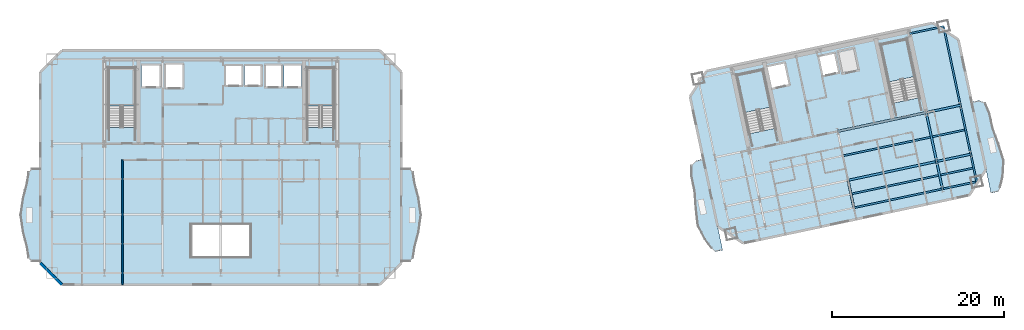
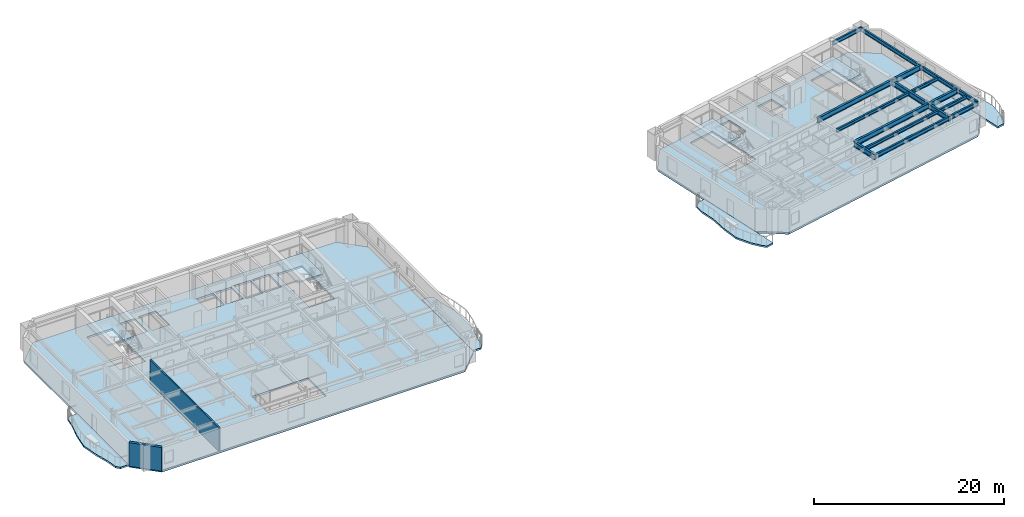
# One storey, part 4 of 14: 17 beams, 10 slabs, 2 walls, 4 elements without a shape of their own.
"""IFC4 building model written with IfcOpenShell, lengths in metres."""

import ifcopenshell
import ifcopenshell.guid

model = None  # the IFC model being written
_history = None  # IfcOwnerHistory: only IFC2X3 demands one
_inside = {}  # id of a spatial element -> (the spatial element, [elements in it])
_under = {}  # id of a project, library or spatial element -> (it, [spatial elements below it])
_declared = {}  # id of a project -> (the project, [libraries it declares])
_typed = {}  # id of a type object -> (the type object, [elements of that type])
_made_of = {}  # id of a material, layer set ... -> (it, [elements and type objects made of it])


def new_model(schema):
    """Start an empty IFC model of exactly this schema.

    Asked for "IFC4X3", IfcOpenShell would pick the latest addendum, in which some entities
    have other attributes; the version numbers below select the first issue.
    IFC2X3 requires an IfcOwnerHistory on every rooted entity: one is made here for all.
    """
    global model, _history
    if schema == "IFC4X3":
        model = ifcopenshell.file(schema_version=(4, 3, 0, 0))
    else:
        model = ifcopenshell.file(schema=schema)
    _inside.clear()
    _under.clear()
    _declared.clear()
    _typed.clear()
    _made_of.clear()
    _history = None
    if model.schema == "IFC2X3":
        org = make("IfcOrganization", Name="unknown")
        user = make(
            "IfcPersonAndOrganization",
            ThePerson=make("IfcPerson", FamilyName="unknown"),
            TheOrganization=org,
        )
        app = make(
            "IfcApplication",
            ApplicationDeveloper=org,
            Version="unknown",
            ApplicationFullName="unknown",
            ApplicationIdentifier="unknown",
        )
        _history = make(
            "IfcOwnerHistory",
            OwningUser=user,
            OwningApplication=app,
            ChangeAction="ADDED",
            CreationDate=0,
        )
    return model


def make(cls, **values):
    """One entity of the class cls with the attributes given. An attribute that is None is left unset."""
    return model.create_entity(
        cls, **{name: value for name, value in values.items() if value is not None}
    )


def rooted(cls, **values):
    """An entity with a GlobalId (a new one), such as an element, a storey or a relation."""
    return make(cls, GlobalId=ifcopenshell.guid.new(), OwnerHistory=_history, **values)


def si_unit(unit_type, name, prefix=None):
    """IfcSIUnit, for example si_unit("LENGTHUNIT", "METRE", prefix="MILLI")."""
    return make("IfcSIUnit", UnitType=unit_type, Prefix=prefix, Name=name)


def assignment(units):
    """IfcUnitAssignment: the units of a project."""
    return None if units is None else make("IfcUnitAssignment", Units=units)


def point(xyz):
    """IfcCartesianPoint."""
    return None if xyz is None else make("IfcCartesianPoint", Coordinates=xyz)


def direction(xyz):
    """IfcDirection."""
    return None if xyz is None else make("IfcDirection", DirectionRatios=xyz)


def frame(location, z_axis=None, x_axis=None):
    """IfcAxis2Placement3D, a coordinate frame: its origin and axes. An axis left out is left unset."""
    return make(
        "IfcAxis2Placement3D",
        Location=point(location),
        Axis=direction(z_axis),
        RefDirection=direction(x_axis),
    )


def frame_2d(location, x_axis=None):
    """IfcAxis2Placement2D, a coordinate frame in the plane: its origin and x axis."""
    return make(
        "IfcAxis2Placement2D", Location=point(location), RefDirection=direction(x_axis)
    )


def origin():
    """The frame at (0, 0, 0) with its axes left unset."""
    return frame((0.0, 0.0, 0.0))


def origin_2d():
    """The frame at (0, 0) in the plane with its x axis left unset."""
    return frame_2d((0.0, 0.0))


def place(relative_to, where):
    """IfcLocalPlacement: puts the frame where relative to a parent placement (None: the world)."""
    return make(
        "IfcLocalPlacement", PlacementRelTo=relative_to, RelativePlacement=where
    )


def context(
    kind, dimensions, precision=None, world=None, true_north=None, identifier=None
):
    """IfcGeometricRepresentationContext, for example the 3D "Model" context."""
    return make(
        "IfcGeometricRepresentationContext",
        ContextIdentifier=identifier,
        ContextType=kind,
        CoordinateSpaceDimension=dimensions,
        Precision=precision,
        WorldCoordinateSystem=world,
        TrueNorth=true_north,
    )


def subcontext(parent, identifier, kind, view, scale=None):
    """IfcGeometricRepresentationSubContext, for example "Body" below "Model"."""
    return make(
        "IfcGeometricRepresentationSubContext",
        ContextIdentifier=identifier,
        ContextType=kind,
        ParentContext=parent,
        TargetScale=scale,
        TargetView=view,
    )


def project(units=None, contexts=None):
    """IfcProject with its units and contexts."""
    return rooted(
        "IfcProject",
        Name="project",
        RepresentationContexts=contexts,
        UnitsInContext=assignment(units),
    )


def spatial(cls, under=None, at=None, **own):
    """A site, building, storey or space (cls), placed at a placement, below another one or the project."""
    s = rooted(cls, ObjectPlacement=at, **own)
    if under is not None:
        _under.setdefault(under.id(), (under, []))[1].append(s)
    return s


def polyline(points):
    """IfcPolyline through the points."""
    return make("IfcPolyline", Points=[point(p) for p in points])


def profile(cls, at=None, kind="AREA", **sizes):
    """A parametric profile (cls). Its sizes go by their IFC names, for example OverallWidth=200.0."""
    return make(cls, ProfileType=kind, Position=at, **sizes)


def rectangle(**sizes):
    """IfcRectangleProfileDef."""
    return profile("IfcRectangleProfileDef", **sizes)


def i_section(**sizes):
    """IfcIShapeProfileDef."""
    return profile("IfcIShapeProfileDef", **sizes)


def outline(outer, holes=None, kind="AREA"):
    """IfcArbitraryClosedProfileDef: a profile drawn as a closed curve; with holes, ...WithVoids."""
    if holes is None:
        return make("IfcArbitraryClosedProfileDef", ProfileType=kind, OuterCurve=outer)
    return make(
        "IfcArbitraryProfileDefWithVoids",
        ProfileType=kind,
        OuterCurve=outer,
        InnerCurves=holes,
    )


def extrude(swept, where, along, depth):
    """IfcExtrudedAreaSolid: the profile swept, set in the frame where, extruded along a direction by depth."""
    return make(
        "IfcExtrudedAreaSolid",
        SweptArea=swept,
        Position=where,
        ExtrudedDirection=direction(along),
        Depth=depth,
    )


def shape(context_of_items, identifier, shape_type, items):
    """IfcShapeRepresentation: the items that make up one representation, for example the "Body"."""
    return make(
        "IfcShapeRepresentation",
        ContextOfItems=context_of_items,
        RepresentationIdentifier=identifier,
        RepresentationType=shape_type,
        Items=items,
    )


def material(Name=None, Category=None):
    """IfcMaterial."""
    return make("IfcMaterial", Name=Name, Category=Category)


def layer(
    of_material, thickness, ventilated=None, Name=None, Category=None, Priority=None
):
    """IfcMaterialLayer: one layer of a wall or slab, of a material (None: an air gap)."""
    return make(
        "IfcMaterialLayer",
        Material=of_material,
        LayerThickness=thickness,
        IsVentilated=ventilated,
        Name=Name,
        Category=Category,
        Priority=Priority,
    )


def layer_set(layers, Name=None):
    """IfcMaterialLayerSet."""
    return make("IfcMaterialLayerSet", MaterialLayers=layers, LayerSetName=Name)


def material_profile(
    of_material, cross_section, Name=None, Category=None, Priority=None
):
    """IfcMaterialProfile: a cross section and its material."""
    return make(
        "IfcMaterialProfile",
        Name=Name,
        Material=of_material,
        Profile=cross_section,
        Priority=Priority,
        Category=Category,
    )


def profile_set(profiles, Name=None, composite=None):
    """IfcMaterialProfileSet."""
    return make(
        "IfcMaterialProfileSet",
        Name=Name,
        MaterialProfiles=profiles,
        CompositeProfile=composite,
    )


def made_of(thing, what):
    """Note that an element or type object is made of a material, layer set ...; save() writes the relation."""
    if what is not None:
        _made_of.setdefault(what.id(), (what, []))[1].append(thing)
    return thing


def type_object(cls, material=None, **own):
    """A type object (cls), such as IfcWallType, which elements share."""
    return made_of(rooted(cls, **own), material)


def element(
    cls,
    number,
    at=None,
    inside=None,
    cuts=None,
    type_object=None,
    material=None,
    context=None,
    identifier="Body",
    shape_type=None,
    held_by="IfcProductDefinitionShape",
    body=None,
    shapes=None,
    **own,
):
    """One element of the class cls, such as IfcWall. Its Tag is "e" and its number.

    at: its placement. inside: the storey or other place that contains it. cuts: it is an
    opening in that element (IfcRelVoidsElement). A single representation is given by context,
    identifier, shape_type and body (its items); several are given by shapes. held_by: the class
    of the entity that holds the representations. save() writes the other relations.
    """
    e = rooted(cls, Tag="e%d" % number, ObjectPlacement=at, **own)
    if body is not None:
        shapes = [shape(context, identifier, shape_type, body)]
    if shapes is not None:
        e.Representation = make(held_by, Representations=shapes)
    if inside is not None:
        _inside.setdefault(inside.id(), (inside, []))[1].append(e)
    if cuts is not None:
        rooted(
            "IfcRelVoidsElement", RelatingBuildingElement=cuts, RelatedOpeningElement=e
        )
    if type_object is not None:
        _typed.setdefault(type_object.id(), (type_object, []))[1].append(e)
    return made_of(e, material)


def aggregate(whole, parts):
    """IfcRelAggregates: a whole, such as a stair, and the parts it consists of."""
    return rooted("IfcRelAggregates", RelatingObject=whole, RelatedObjects=parts)


def save(model, path):
    """Write the relations noted so far, then the file.

    IfcRelAggregates (storeys below a building ...), IfcRelContainedInSpatialStructure (elements
    in a storey), IfcRelDefinesByType, IfcRelAssociatesMaterial and IfcRelDeclares: one each for
    every whole, place, type object, material and project.
    """
    for whole, parts in _under.values():
        aggregate(whole, parts)
    for where, things in _inside.values():
        rooted(
            "IfcRelContainedInSpatialStructure",
            RelatedElements=things,
            RelatingStructure=where,
        )
    for kind, things in _typed.values():
        rooted("IfcRelDefinesByType", RelatedObjects=things, RelatingType=kind)
    for what, things in _made_of.values():
        rooted("IfcRelAssociatesMaterial", RelatedObjects=things, RelatingMaterial=what)
    for by, libraries in _declared.values():
        rooted("IfcRelDeclares", RelatingContext=by, RelatedDefinitions=libraries)
    model.write(path)


model = new_model("IFC4")

# Units and contexts
model_context = context("Model", 3, precision=1e-05, world=origin(), true_north=direction((0.0, 1.0)))
body_context = subcontext(model_context, "Body", "Model", "MODEL_VIEW")
ifc_project = project(units=[si_unit("LENGTHUNIT", "METRE"), si_unit("AREAUNIT", "SQUARE_METRE"), si_unit("VOLUMEUNIT", "CUBIC_METRE"), si_unit("PLANEANGLEUNIT", "RADIAN"), si_unit("MASSUNIT", "GRAM", prefix="KILO")], contexts=[model_context])

# Site, building, storey
site_placement = place(None, origin())
site = spatial("IfcSite", under=ifc_project, at=site_placement, CompositionType="ELEMENT")
building_placement = place(site_placement, origin())
building = spatial("IfcBuilding", under=site, at=building_placement, Name="Haevon Station Towers", CompositionType="ELEMENT")
storey_placement = place(building_placement, frame((0.0, 0.0, 169.199951171875)))
storey = spatial("IfcBuildingStorey", under=building, at=storey_placement, Name="L46", CompositionType="ELEMENT", Elevation=169.199951171875)

# Beams
ifc_material_1 = material(Name="Steel S355", Category="steel")
ifc_material_profile_1 = material_profile(ifc_material_1, i_section(OverallWidth=0.25, OverallDepth=0.64990234375, WebThickness=0.012939453125, FlangeThickness=0.02197265625, at=origin_2d()), Name="H-650x250x13x22")
ifc_profile_set_1 = profile_set([ifc_material_profile_1], Name="Steel S355")
beam_type_1 = type_object("IfcBeamType", Name="BM-G650", PredefinedType="BEAM", material=ifc_profile_set_1)
beam_1_placement = place(storey_placement, frame((110.228759765625, 33.9521484375, 2.72509765625), z_axis=(0.978146794194, 0.207915485254, 0.0), x_axis=(-0.207915485254, 0.978146794194, 0.0)))
element("IfcBeam", 1, at=beam_1_placement, inside=storey, type_object=beam_type_1, Name="BM-T2U-L46-02-03", PredefinedType="BEAM", context=body_context, shape_type="SweptSolid", body=[
    extrude(i_section(OverallWidth=0.25, OverallDepth=0.64990234375, WebThickness=0.012939453125, FlangeThickness=0.02197265625, at=origin_2d()), origin(), (0.0, 0.0, 1.0), 10.5),
])
beam_2_placement = place(storey_placement, frame((120.499267578125, 36.13525390625, 2.72509765625), z_axis=(0.978149504816, 0.207902732613, 0.0), x_axis=(-0.207902732613, 0.978149504816, 0.0)))
element("IfcBeam", 2, at=beam_2_placement, inside=storey, type_object=beam_type_1, Name="BM-T2U-L46-02-04", PredefinedType="BEAM", context=body_context, shape_type="SweptSolid", body=[
    extrude(i_section(OverallWidth=0.25, OverallDepth=0.64990234375, WebThickness=0.012939453125, FlangeThickness=0.02197265625, at=origin_2d()), origin(), (0.0, 0.0, 1.0), 4.050048828125),
])
beam_3_placement = place(storey_placement, frame((109.02294921875, 39.62548828125, 2.72509765625), z_axis=(0.978146794194, 0.207915485254, 0.0), x_axis=(-0.207915485254, 0.978146794194, 0.0)))
element("IfcBeam", 3, at=beam_3_placement, inside=storey, type_object=beam_type_1, Name="BM-T2U-L46-03-03", PredefinedType="BEAM", context=body_context, shape_type="SweptSolid", body=[
    extrude(i_section(OverallWidth=0.25, OverallDepth=0.64990234375, WebThickness=0.012939453125, FlangeThickness=0.02197265625, at=origin_2d()), origin(), (0.0, 0.0, 1.0), 10.5),
])
beam_4_placement = place(storey_placement, frame((119.29345703125, 41.80859375, 2.72509765625), z_axis=(0.978146899108, 0.207914991681, 0.0), x_axis=(-0.207914991681, 0.978146899108, 0.0)))
element("IfcBeam", 4, at=beam_4_placement, inside=storey, type_object=beam_type_1, Name="BM-T2U-L46-03-04", PredefinedType="BEAM", context=body_context, shape_type="SweptSolid", body=[
    extrude(i_section(OverallWidth=0.25, OverallDepth=0.64990234375, WebThickness=0.012939453125, FlangeThickness=0.02197265625, at=origin_2d()), origin(), (0.0, 0.0, 1.0), 4.050048828125),
])
for number, where, z_axis, x_axis, name in (
    (5, (110.906494140625, 30.763427734375, 2.72509765625), (-0.207897270364, 0.978150665785, 0.0), (-0.978150665785, -0.207897270364, 0.0), "BM-T2V-L46-03-01"),
    (6, (121.17724609375, 32.946533203125, 2.72509765625), (-0.207968922755, 0.97813543396, 0.0), (-0.97813543396, -0.207968922755, 0.0), "BM-T2V-L46-04-01"),
):
    element("IfcBeam", number, at=place(storey_placement, frame(where, z_axis=z_axis, x_axis=x_axis)), inside=storey, type_object=beam_type_1, Name=name, PredefinedType="BEAM", context=body_context, shape_type="SweptSolid", body=[
        extrude(i_section(OverallWidth=0.25, OverallDepth=0.64990234375, WebThickness=0.012939453125, FlangeThickness=0.02197265625, at=origin_2d()), origin(), (0.0, 0.0, 1.0), 3.260009765625),
    ])
beam_5_placement = place(storey_placement, frame((120.499267578125, 36.13525390625, 2.72509765625), z_axis=(-0.207896009217, 0.97815093383, 0.0), x_axis=(-0.97815093383, -0.207896009217, 0.0)))
element("IfcBeam", 7, at=beam_5_placement, inside=storey, type_object=beam_type_1, Name="BM-T2V-L46-04-02", PredefinedType="BEAM", context=body_context, shape_type="SweptSolid", body=[
    extrude(i_section(OverallWidth=0.25, OverallDepth=0.64990234375, WebThickness=0.012939453125, FlangeThickness=0.02197265625, at=origin_2d()), origin(), (0.0, 0.0, 1.0), 5.800048828125),
])
ifc_material_profile_2 = material_profile(ifc_material_1, i_section(OverallWidth=0.199951171875, OverallDepth=0.39990234375, WebThickness=0.008056640625, FlangeThickness=0.012939453125, at=origin_2d()), Name="H-400x200x8x13")
ifc_profile_set_2 = profile_set([ifc_material_profile_2], Name="Steel S355")
beam_type_2 = type_object("IfcBeamType", Name="BM-J400", PredefinedType="JOIST", material=ifc_profile_set_2)
beam_6_placement = place(storey_placement, frame((110.67529296875, 32.380615234375, 2.85009765625), z_axis=(0.978145509903, 0.207921527161, 0.0), x_axis=(-0.207921527161, 0.978145509903, 0.0)))
element("IfcBeam", 8, at=beam_6_placement, inside=storey, type_object=beam_type_2, Name="BM-T2J-L46-01-03", PredefinedType="JOIST", context=body_context, shape_type="SweptSolid", body=[
    extrude(i_section(OverallWidth=0.199951171875, OverallDepth=0.39990234375, WebThickness=0.008056640625, FlangeThickness=0.012939453125, at=origin_2d()), origin(), (0.0, 0.0, 1.0), 10.280029296875),
])
beam_7_placement = place(storey_placement, frame((120.94580078125, 34.563720703125, 2.85009765625), z_axis=(0.97814345794, 0.207931180176, 0.0), x_axis=(-0.207931180176, 0.97814345794, 0.0)))
element("IfcBeam", 9, at=beam_7_placement, inside=storey, type_object=beam_type_2, Name="BM-T2J-L46-01-04", PredefinedType="JOIST", context=body_context, shape_type="SweptSolid", body=[
    extrude(i_section(OverallWidth=0.199951171875, OverallDepth=0.39990234375, WebThickness=0.008056640625, FlangeThickness=0.012939453125, at=origin_2d()), origin(), (0.0, 0.0, 1.0), 3.830078125),
])
beam_8_placement = place(storey_placement, frame((109.7333984375, 36.811767578125, 2.85009765625), z_axis=(0.978150339653, 0.207898804801, 0.0), x_axis=(-0.207898804801, 0.978150339653, 0.0)))
element("IfcBeam", 10, at=beam_8_placement, inside=storey, type_object=beam_type_2, Name="BM-T2J-L46-02-03", PredefinedType="JOIST", context=body_context, shape_type="SweptSolid", body=[
    extrude(i_section(OverallWidth=0.199951171875, OverallDepth=0.39990234375, WebThickness=0.008056640625, FlangeThickness=0.012939453125, at=origin_2d()), origin(), (0.0, 0.0, 1.0), 10.280029296875),
])
beam_9_placement = place(storey_placement, frame((120.00390625, 38.994873046875, 2.85009765625), z_axis=(0.978156420772, 0.207870191472, 0.0), x_axis=(-0.207870191472, 0.978156420772, 0.0)))
element("IfcBeam", 11, at=beam_9_placement, inside=storey, type_object=beam_type_2, Name="BM-T2J-L46-02-04", PredefinedType="JOIST", context=body_context, shape_type="SweptSolid", body=[
    extrude(i_section(OverallWidth=0.199951171875, OverallDepth=0.39990234375, WebThickness=0.008056640625, FlangeThickness=0.012939453125, at=origin_2d()), origin(), (0.0, 0.0, 1.0), 3.830078125),
])
ifc_material_profile_3 = material_profile(ifc_material_1, i_section(OverallWidth=0.199951171875, OverallDepth=0.5, WebThickness=0.010009765625, FlangeThickness=0.01611328125, at=origin_2d()), Name="H-500x200x10x16")
ifc_profile_set_3 = profile_set([ifc_material_profile_3], Name="Steel S355")
beam_type_3 = type_object("IfcBeamType", Name="BM-SP500", PredefinedType="SPANDREL", material=ifc_profile_set_3)
beam_10_placement = place(storey_placement, frame((110.906494140625, 30.763427734375, 2.800048828125), z_axis=(0.978147799298, 0.207910756646, 0.0), x_axis=(-0.207910756646, 0.978147799298, 0.0)))
element("IfcBeam", 12, at=beam_10_placement, inside=storey, type_object=beam_type_3, Name="BM-T2U-L46-01-03", PredefinedType="SPANDREL", context=body_context, shape_type="SweptSolid", body=[
    extrude(i_section(OverallWidth=0.199951171875, OverallDepth=0.5, WebThickness=0.010009765625, FlangeThickness=0.01611328125, at=origin_2d()), origin(), (0.0, 0.0, 1.0), 10.500244140625),
])
for number, where, z_axis, x_axis, name in (
    (13, (121.17724609375, 32.946533203125, 2.800048828125), (0.978146899108, 0.207914991681, 0.0), (-0.207914991681, 0.978146899108, 0.0), "BM-T2U-L46-01-04"),
    (14, (117.349365234375, 50.954345703125, 2.800048828125), (0.978149504816, 0.207902732613, 0.0), (-0.207902732613, 0.978149504816, 0.0), "BM-T2U-L46-04-04"),
):
    element("IfcBeam", number, at=place(storey_placement, frame(where, z_axis=z_axis, x_axis=x_axis)), inside=storey, type_object=beam_type_3, Name=name, PredefinedType="SPANDREL", context=body_context, shape_type="SweptSolid", body=[
        extrude(i_section(OverallWidth=0.199951171875, OverallDepth=0.5, WebThickness=0.010009765625, FlangeThickness=0.01611328125, at=origin_2d()), origin(), (0.0, 0.0, 1.0), 4.050048828125),
    ])
beam_11_placement = place(storey_placement, frame((125.138671875, 33.78857421875, 2.800048828125), z_axis=(-0.207897270364, 0.978150665785, 0.0), x_axis=(-0.978150665785, -0.207897270364, 0.0)))
element("IfcBeam", 15, at=beam_11_placement, inside=storey, type_object=beam_type_3, Name="BM-T2V-L46-05-01", PredefinedType="SPANDREL", context=body_context, shape_type="SweptSolid", body=[
    extrude(i_section(OverallWidth=0.199951171875, OverallDepth=0.5, WebThickness=0.010009765625, FlangeThickness=0.01611328125, at=origin_2d()), origin(), (0.0, 0.0, 1.0), 3.260009765625),
])
beam_12_placement = place(storey_placement, frame((124.4609375, 36.977294921875, 2.800048828125), z_axis=(-0.207936282142, 0.978142373363, 0.0), x_axis=(-0.978142373363, -0.207936282142, 0.0)))
element("IfcBeam", 16, at=beam_12_placement, inside=storey, type_object=beam_type_3, Name="BM-T2V-L46-05-02", PredefinedType="SPANDREL", context=body_context, shape_type="SweptSolid", body=[
    extrude(i_section(OverallWidth=0.199951171875, OverallDepth=0.5, WebThickness=0.010009765625, FlangeThickness=0.01611328125, at=origin_2d()), origin(), (0.0, 0.0, 1.0), 5.800048828125),
])
beam_13_placement = place(storey_placement, frame((123.2548828125, 42.650634765625, 2.800048828125), z_axis=(-0.207897167074, 0.978150687738, 0.0), x_axis=(-0.978150687738, -0.207897167074, 0.0)))
element("IfcBeam", 17, at=beam_13_placement, inside=storey, type_object=beam_type_3, Name="BM-T2V-L46-05-03", PredefinedType="SPANDREL", context=body_context, shape_type="SweptSolid", body=[
    extrude(i_section(OverallWidth=0.199951171875, OverallDepth=0.5, WebThickness=0.010009765625, FlangeThickness=0.01611328125, at=origin_2d()), origin(), (0.0, 0.0, 1.0), 9.35009765625),
])

# Slabs
ifc_material_2 = material(Name="Concrete C40/50", Category="concrete")
ifc_layer_1 = layer(ifc_material_2, 0.219970703125)
ifc_layer_set_1 = layer_set([ifc_layer_1], Name="Concrete C40/50")
slab_type_1 = type_object("IfcSlabType", Name="SL-BALC220", PredefinedType="FLOOR", material=ifc_layer_set_1)
slab_1_placement = place(storey_placement, frame((0.0, 0.0, -0.219970703125)))
element("IfcSlab", 18, at=slab_1_placement, inside=storey, type_object=slab_type_1, Name="Tower 1 L46 West SCALLOPED BALCONY", PredefinedType="FLOOR", context=body_context, shape_type="SweptSolid", body=[
    extrude(outline(polyline([(16.570068359375, 35.324951171875), (15.58154296875, 35.324951171875), (15.221923828125, 34.9140625), (15.037353515625, 33.743408203125), (14.562744140625, 31.991455078125), (14.21630859375, 29.925048828125), (14.562744140625, 27.8583984375), (15.037353515625, 26.106689453125), (15.221923828125, 24.93603515625), (15.58154296875, 24.52490234375), (16.570068359375, 24.52490234375), (16.570068359375, 35.324951171875)])), origin(), (0.0, 0.0, 1.0), 0.219970703125),
])
slab_2_placement = place(storey_placement, frame((0.0, 0.0, -0.219970703125)))
element("IfcSlab", 19, at=slab_2_placement, inside=storey, type_object=slab_type_1, Name="Tower 1 L46 East SCALLOPED BALCONY", PredefinedType="FLOOR", context=body_context, shape_type="SweptSolid", body=[
    extrude(outline(polyline([(58.429931640625, 24.52490234375), (59.41845703125, 24.52490234375), (59.778076171875, 24.93603515625), (59.962646484375, 26.106689453125), (60.437255859375, 27.8583984375), (60.78369140625, 29.925048828125), (60.437255859375, 31.991455078125), (59.962646484375, 33.743408203125), (59.778076171875, 34.9140625), (59.41845703125, 35.324951171875), (58.429931640625, 35.324951171875), (58.429931640625, 24.52490234375)])), origin(), (0.0, 0.0, 1.0), 0.219970703125),
])
slab_3_placement = place(storey_placement, frame((0.0, 0.0, -0.219970703125)))
element("IfcSlab", 20, at=slab_3_placement, inside=storey, type_object=slab_type_1, Name="Tower 2 L46 West SCALLOPED BALCONY", PredefinedType="FLOOR", context=body_context, shape_type="SweptSolid", body=[
    extrude(outline(polyline([(93.44580078125, 36.41162109375), (92.5830078125, 36.228271484375), (92.05322265625, 35.6953125), (92.0693359375, 34.501953125), (92.41259765625, 32.783935546875), (92.514404296875, 30.69287109375), (92.79736328125, 28.640380859375), (93.6572265625, 27.0322265625), (94.4462890625, 26.003173828125), (94.828369140625, 25.664306640625), (95.691162109375, 25.84765625), (93.44580078125, 36.41162109375)])), origin(), (0.0, 0.0, 1.0), 0.219970703125),
])
slab_4_placement = place(storey_placement, frame((0.0, 0.0, -0.219970703125)))
element("IfcSlab", 21, at=slab_4_placement, inside=storey, type_object=slab_type_1, Name="Tower 2 L46 East SCALLOPED BALCONY", PredefinedType="FLOOR", context=body_context, shape_type="SweptSolid", body=[
    extrude(outline(polyline([(126.80615234375, 32.461181640625), (127.668701171875, 32.64453125), (127.8798828125, 33.109619140625), (128.182373046875, 34.370849609375), (128.313720703125, 36.189697265625), (127.7373046875, 38.179931640625), (126.979736328125, 40.131591796875), (126.594482421875, 41.840576171875), (126.1240234375, 42.937255859375), (125.42333984375, 43.208740234375), (124.560546875, 43.025146484375), (126.80615234375, 32.461181640625)])), origin(), (0.0, 0.0, 1.0), 0.219970703125),
])

# Stair, slab
stair_type = type_object("IfcStairType", Name="STR-DL1450", PredefinedType="USERDEFINED", material=ifc_material_2)
stair_1_placement = place(storey_placement, origin())
stair_1 = element("IfcStair", 22, at=stair_1_placement, inside=storey, type_object=stair_type, Name="L46 Escape Stair ST1", ObjectType="TWO_RETURN_STAIR", PredefinedType="USERDEFINED")
ifc_layer_2 = layer(ifc_material_2, 0.199951171875)
ifc_layer_set_2 = layer_set([ifc_layer_2], Name="Concrete C40/50")
slab_type_2 = type_object("IfcSlabType", Name="SL-LND200", PredefinedType="LANDING", material=ifc_layer_set_2)
slab_5_placement = place(storey_placement, frame((0.0, 0.0, 1.449951171875)))
slab_5 = element("IfcSlab", 23, at=slab_5_placement, type_object=slab_type_2, Name="L46 ST1 Half Landing 1", PredefinedType="LANDING", context=body_context, shape_type="SweptSolid", body=[
    extrude(outline(polyline([(27.580078125, 42.56396484375), (27.580078125, 47.0), (24.47998046875, 47.0), (24.47998046875, 42.56396484375), (27.580078125, 42.56396484375)])), origin(), (0.0, 0.0, 1.0), 0.2001953125),
])
aggregate(stair_1, [slab_5])

stair_2_placement = place(storey_placement, origin())
stair_2 = element("IfcStair", 24, at=stair_2_placement, inside=storey, type_object=stair_type, Name="L46 Escape Stair ST2", ObjectType="TWO_RETURN_STAIR", PredefinedType="USERDEFINED")
slab_6_placement = place(storey_placement, frame((0.0, 0.0, 1.449951171875)))
slab_6 = element("IfcSlab", 25, at=slab_6_placement, type_object=slab_type_2, Name="L46 ST2 Half Landing 1", PredefinedType="LANDING", context=body_context, shape_type="SweptSolid", body=[
    extrude(outline(polyline([(50.6201171875, 42.56396484375), (50.6201171875, 47.0), (47.52001953125, 47.0), (47.52001953125, 42.56396484375), (50.6201171875, 42.56396484375)])), origin(), (0.0, 0.0, 1.0), 0.2001953125),
])
aggregate(stair_2, [slab_6])

stair_3_placement = place(storey_placement, origin())
stair_3 = element("IfcStair", 26, at=stair_3_placement, inside=storey, type_object=stair_type, Name="L46 Escape Stair ST3", ObjectType="TWO_RETURN_STAIR", PredefinedType="USERDEFINED")
slab_7_placement = place(storey_placement, frame((0.0, 0.0, 1.449951171875)))
slab_7 = element("IfcSlab", 27, at=slab_7_placement, type_object=slab_type_2, Name="L46 ST3 Half Landing 1", PredefinedType="LANDING", context=body_context, shape_type="SweptSolid", body=[
    extrude(outline(polyline([(101.2880859375, 42.44287109375), (100.36572265625, 46.781982421875), (97.33349609375, 46.137451171875), (98.255859375, 41.79833984375), (101.2880859375, 42.44287109375)])), origin(), (0.0, 0.0, 1.0), 0.2001953125),
])
aggregate(stair_3, [slab_7])

stair_4_placement = place(storey_placement, origin())
stair_4 = element("IfcStair", 28, at=stair_4_placement, inside=storey, type_object=stair_type, Name="L46 Escape Stair ST4", ObjectType="TWO_RETURN_STAIR", PredefinedType="USERDEFINED")
slab_8_placement = place(storey_placement, frame((0.0, 0.0, 1.449951171875)))
slab_8 = element("IfcSlab", 29, at=slab_8_placement, type_object=slab_type_2, Name="L46 ST4 Half Landing 1", PredefinedType="LANDING", context=body_context, shape_type="SweptSolid", body=[
    extrude(outline(polyline([(117.975341796875, 45.989990234375), (117.052978515625, 50.328857421875), (114.020751953125, 49.684326171875), (114.943115234375, 45.345458984375), (117.975341796875, 45.989990234375)])), origin(), (0.0, 0.0, 1.0), 0.2001953125),
])
aggregate(stair_4, [slab_8])

# Slabs
ifc_layer_3 = layer(ifc_material_2, 0.25)
ifc_layer_set_3 = layer_set([ifc_layer_3], Name="Concrete C40/50")
slab_type_3 = type_object("IfcSlabType", Name="SL-TW250", PredefinedType="FLOOR", material=ifc_layer_set_3)
slab_9_placement = place(storey_placement, frame((0.0, 0.0, -0.25)))
element("IfcSlab", 30, at=slab_9_placement, inside=storey, type_object=slab_type_3, Name="SL-T1-L46", PredefinedType="FLOOR", context=body_context, shape_type="SweptSolid", body=[
    extrude(outline(polyline([(19.074951171875, 21.85009765625), (55.925048828125, 21.85009765625), (58.425048828125, 24.35009765625), (58.425048828125, 46.5), (55.925048828125, 49.0), (19.074951171875, 49.0), (16.574951171875, 46.5), (16.574951171875, 24.35009765625), (19.074951171875, 21.85009765625)]), holes=[polyline([(27.580078125, 40.055908203125), (27.580078125, 47.0), (24.47998046875, 47.0), (24.47998046875, 40.055908203125), (27.580078125, 40.055908203125)]), polyline([(50.6201171875, 40.055908203125), (50.6201171875, 47.0), (47.52001953125, 47.0), (47.52001953125, 40.055908203125), (50.6201171875, 40.055908203125)]), polyline([(28.300048828125, 44.699951171875), (30.5, 44.699951171875), (30.5, 47.39990234375), (28.300048828125, 47.39990234375), (28.300048828125, 44.699951171875)]), polyline([(31.050048828125, 44.60009765625), (33.14990234375, 44.60009765625), (33.14990234375, 47.5), (31.050048828125, 47.5), (31.050048828125, 44.60009765625)]), polyline([(38.0, 44.89990234375), (40.0, 44.89990234375), (40.0, 47.300048828125), (38.0, 47.300048828125), (38.0, 44.89990234375)]), polyline([(40.25, 44.89990234375), (42.25, 44.89990234375), (42.25, 47.300048828125), (40.25, 47.300048828125), (40.25, 44.89990234375)]), polyline([(42.60009765625, 44.699951171875), (44.60009765625, 44.699951171875), (44.60009765625, 47.39990234375), (42.60009765625, 47.39990234375), (42.60009765625, 44.699951171875)]), polyline([(44.85009765625, 44.699951171875), (46.85009765625, 44.699951171875), (46.85009765625, 47.39990234375), (44.85009765625, 47.39990234375), (44.85009765625, 44.699951171875)]), polyline([(34.10009765625, 25.050048828125), (40.89990234375, 25.050048828125), (40.89990234375, 28.85009765625), (34.10009765625, 28.85009765625), (34.10009765625, 25.050048828125)])]), origin(), (0.0, 0.0, 1.0), 0.25),
])
slab_10_placement = place(storey_placement, frame((0.0, 0.0, -0.25)))
element("IfcSlab", 31, at=slab_10_placement, inside=storey, type_object=slab_type_3, Name="SL-T2-L46", PredefinedType="FLOOR", context=body_context, shape_type="SweptSolid", body=[
    extrude(outline(polyline([(98.080078125, 26.656982421875), (124.29443359375, 32.22900390625), (126.219970703125, 35.194091796875), (123.01611328125, 50.267333984375), (120.051025390625, 52.19287109375), (93.836669921875, 46.620849609375), (91.9111328125, 43.65576171875), (95.114990234375, 28.58251953125), (98.080078125, 26.656982421875)]), holes=[polyline([(101.8095703125, 39.98974609375), (100.36572265625, 46.781982421875), (97.33349609375, 46.137451171875), (98.77734375, 39.34521484375), (101.8095703125, 39.98974609375)]), polyline([(118.496826171875, 43.53662109375), (117.052978515625, 50.328857421875), (114.020751953125, 49.684326171875), (115.464599609375, 42.89208984375), (118.496826171875, 43.53662109375)]), polyline([(101.43212890625, 44.554931640625), (103.486328125, 44.99169921875), (102.9248046875, 47.632568359375), (100.870849609375, 47.196044921875), (101.43212890625, 44.554931640625)]), polyline([(107.259521484375, 45.998046875), (109.2158203125, 46.413818359375), (108.716796875, 48.761474609375), (106.760498046875, 48.345703125), (107.259521484375, 45.998046875)])]), origin(), (0.0, 0.0, 1.0), 0.25),
])

# Walls
ifc_material_3 = material(Name="Precast concrete C45/55", Category="concrete")
ifc_layer_4 = layer(ifc_material_3, 0.300048828125)
ifc_layer_set_4 = layer_set([ifc_layer_4], Name="Precast concrete C45/55")
wall_type_1 = type_object("IfcWallType", Name="WL-EXT-PIER300", PredefinedType="SOLIDWALL", material=ifc_layer_set_4)
wall_1_placement = place(storey_placement, frame((19.074951171875, 21.85009765625, 0.0), z_axis=(0.0, 0.0, 1.0), x_axis=(-0.707106781187, 0.707106781187, 0.0)))
element("IfcWall", 32, at=wall_1_placement, inside=storey, type_object=wall_type_1, Name="WL-T1-L46-SWC", PredefinedType="SOLIDWALL", context=body_context, shape_type="SweptSolid", body=[
    extrude(rectangle(XDim=3.53564453125, YDim=0.300048828125, at=frame_2d((1.767822265625, 0.0))), origin(), (0.0, 0.0, 1.0), 3.030029296875),
])
ifc_material_4 = material(Name="Gypsum board on steel stud", Category="steel")
ifc_layer_5 = layer(ifc_material_4, 0.159912109375)
ifc_layer_set_5 = layer_set([ifc_layer_5], Name="Gypsum board on steel stud")
wall_type_2 = type_object("IfcWallType", Name="WL-PRT160", PredefinedType="PARTITIONING", material=ifc_layer_set_5)
wall_2_placement = place(storey_placement, frame((26.080078125, 21.85009765625, 0.0), z_axis=(0.0, 0.0, 1.0), x_axis=(0.0, 1.0, 0.0)))
element("IfcWall", 33, at=wall_2_placement, inside=storey, type_object=wall_type_2, Name="WL-T1PT-L46-01", PredefinedType="PARTITIONING", context=body_context, shape_type="SweptSolid", body=[
    extrude(rectangle(XDim=14.469970703125, YDim=0.159912109375, at=frame_2d((7.23486328125, 0.0))), origin(), (0.0, 0.0, 1.0), 3.030029296875),
])

save(model, "model.ifc")
